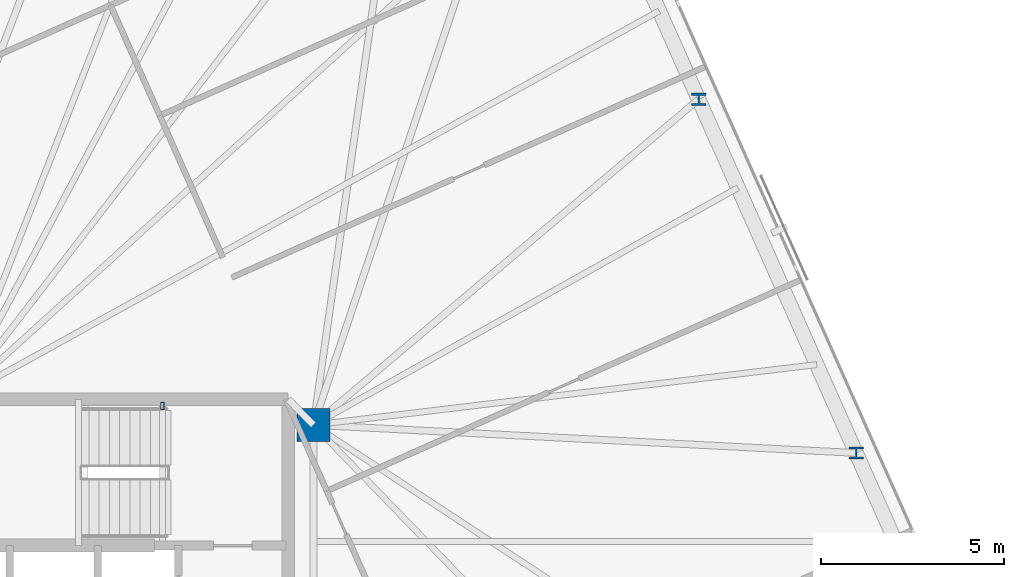
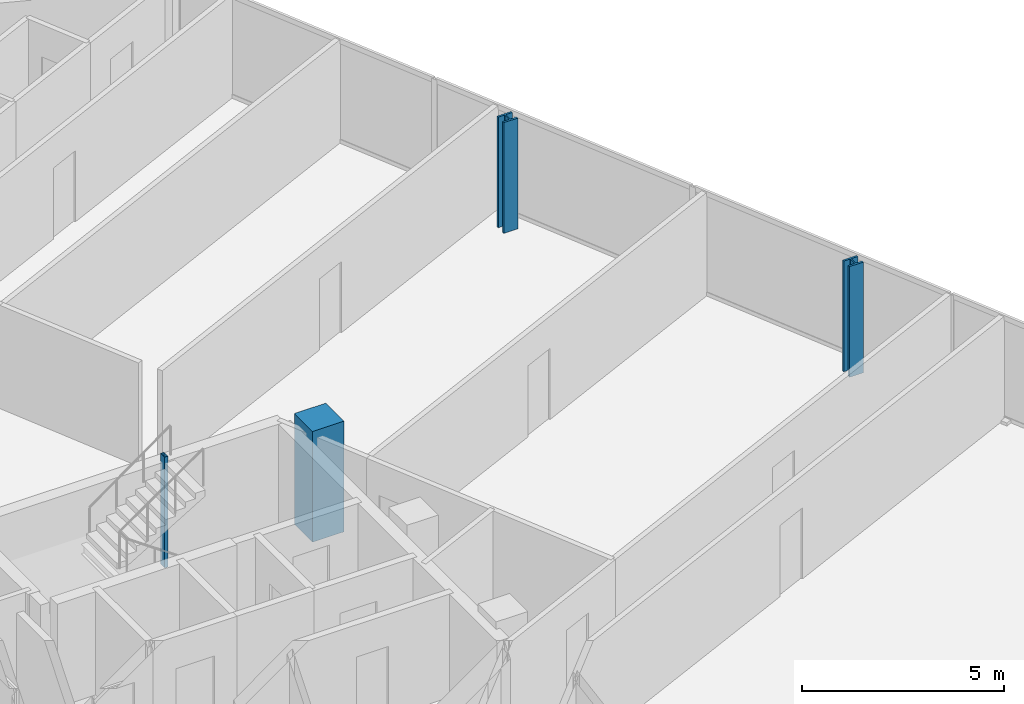
# One storey, part 3 of 18: 4 columns.
"""IFC4 building model written with IfcOpenShell, lengths in metres."""

from ifc_helpers import new_model, si_unit, direction, frame, origin, origin_2d, place, context, subcontext, project, spatial, rectangle, hollow_rectangle, i_section, extrude, material, material_profile, profile_set, type_object, element, save


model = new_model("IFC4")

# Units and contexts
model_context = context("Model", 3, precision=1e-05, world=origin(), true_north=direction((0.0, 1.0)))
body_context = subcontext(model_context, "Body", "Model", "MODEL_VIEW")
ifc_project = project(units=[si_unit("LENGTHUNIT", "METRE"), si_unit("AREAUNIT", "SQUARE_METRE"), si_unit("VOLUMEUNIT", "CUBIC_METRE"), si_unit("PLANEANGLEUNIT", "RADIAN"), si_unit("MASSUNIT", "GRAM", prefix="KILO")], contexts=[model_context])

# Site, building, storey
site_placement = place(None, origin())
site = spatial("IfcSite", under=ifc_project, at=site_placement, CompositionType="ELEMENT")
building_placement = place(site_placement, origin())
building = spatial("IfcBuilding", under=site, at=building_placement, Name="Menara Jurai Vektor", CompositionType="ELEMENT")
storey_placement = place(building_placement, frame((0.0, 0.0, 258.85009765625)))
storey = spatial("IfcBuildingStorey", under=building, at=storey_placement, Name="L69", CompositionType="ELEMENT", Elevation=258.85009765625)

# Columns
ifc_material_1 = material(Name="Concrete C50/60", Category="concrete")
ifc_material_profile_1 = material_profile(ifc_material_1, rectangle(XDim=0.89990234375, YDim=0.89990234375, at=origin_2d()), Name="RC 900x900")
ifc_profile_set_1 = profile_set([ifc_material_profile_1], Name="Concrete C50/60")
column_type_1 = type_object("IfcColumnType", Name="STR-COL-RC900", PredefinedType="COLUMN", material=ifc_profile_set_1)
column_1_placement = place(storey_placement, frame((15.25, 4.89990234375, 0.0), z_axis=(0.0, 0.0, 1.0), x_axis=(1.0, 0.0, 0.0)))
element("IfcColumn", 1, at=column_1_placement, inside=storey, type_object=column_type_1, Name="Core Spine Column CE-NE L69", PredefinedType="COLUMN", context=body_context, shape_type="SweptSolid", body=[
    extrude(rectangle(XDim=0.89990234375, YDim=0.89990234375, at=origin_2d()), origin(), (0.0, 0.0, 1.0), 3.349853515625),
])
ifc_material_2 = material(Name="Steel S355", Category="steel")
ifc_material_profile_2 = material_profile(ifc_material_2, hollow_rectangle(XDim=0.10009765625, YDim=0.199951171875, WallThickness=0.008056640625, at=origin_2d()), Name="RHS 200x100x8")
ifc_profile_set_2 = profile_set([ifc_material_profile_2], Name="Steel S355")
column_type_2 = type_object("IfcColumnType", Name="STR-COL-STAIR", PredefinedType="COLUMN", material=ifc_profile_set_2)
column_2_placement = place(storey_placement, frame((11.1201171875, 5.419921875, 0.0), z_axis=(0.0, 0.0, 1.0), x_axis=(1.0, 0.0, 0.0)))
element("IfcColumn", 2, at=column_2_placement, inside=storey, type_object=column_type_2, Name="Stair Well Header Column ST2-P2 L69", PredefinedType="COLUMN", context=body_context, shape_type="SweptSolid", body=[
    extrude(hollow_rectangle(XDim=0.10009765625, YDim=0.199951171875, WallThickness=0.008056640625, at=origin_2d()), origin(), (0.0, 0.0, 1.0), 3.349853515625),
])
ifc_material_3 = material(Name="Steel S460", Category="steel")
ifc_material_profile_3 = material_profile(ifc_material_3, i_section(OverallWidth=0.40087890625, OverallDepth=0.3349609375, WebThickness=0.035888671875, FlangeThickness=0.05810546875, FilletRadius=0.014892578125, at=origin_2d()), Name="HD 400x463")
ifc_profile_set_3 = profile_set([ifc_material_profile_3], Name="Steel S460")
column_type_3 = type_object("IfcColumnType", Name="STR-EXO-BLK5", PredefinedType="COLUMN", material=ifc_profile_set_3)
for number, where, z_axis, x_axis, name in (
    (3, (30.086181640625, 4.13330078125, 0.0), (0.0, 0.0, 1.0), (1.0, 0.0, 0.0), "Exoskeleton Column BLK5-E2 L69"),
    (4, (25.781005859375, 13.80322265625, 0.0), (0.0, 0.0, 1.0), (1.0, 0.0, 0.0), "Exoskeleton Column BLK5-E3 L69"),
):
    element("IfcColumn", number, at=place(storey_placement, frame(where, z_axis=z_axis, x_axis=x_axis)), inside=storey, type_object=column_type_3, Name=name, PredefinedType="COLUMN", context=body_context, shape_type="SweptSolid", body=[
        extrude(i_section(OverallWidth=0.40087890625, OverallDepth=0.3349609375, WebThickness=0.035888671875, FlangeThickness=0.05810546875, FilletRadius=0.014892578125, at=origin_2d()), origin(), (0.0, 0.0, 1.0), 3.349853515625),
    ])

save(model, "model.ifc")
